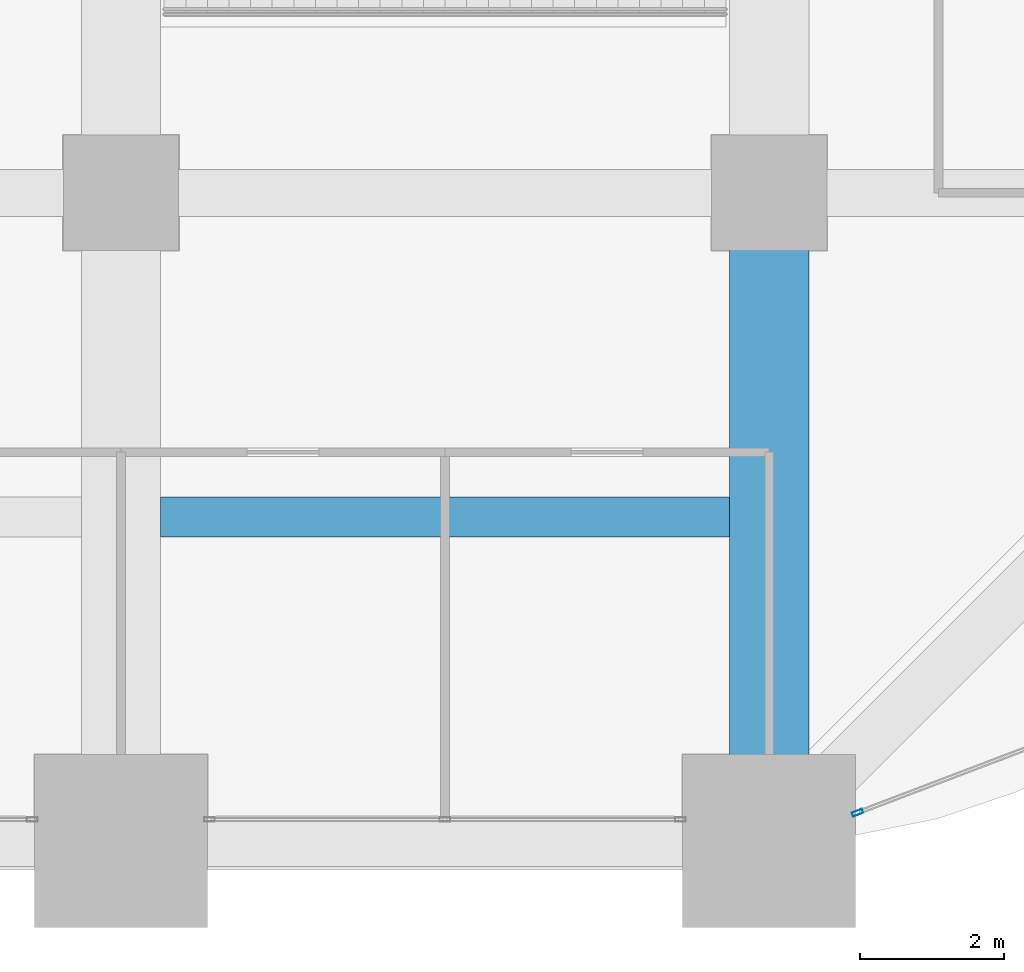
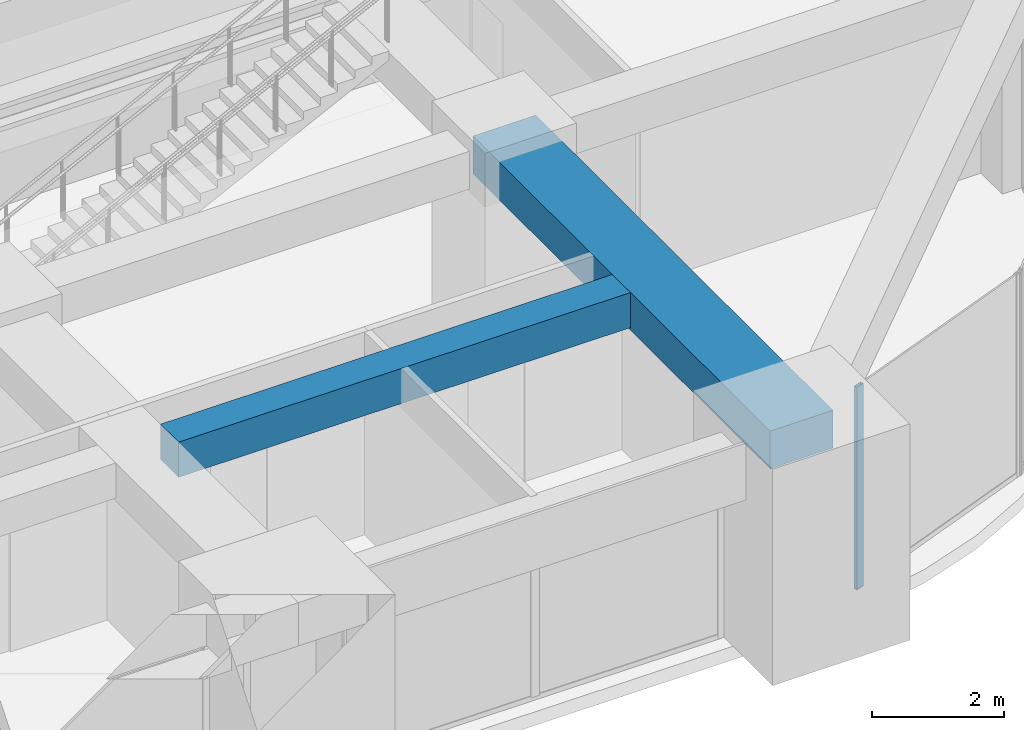
# One storey, part 14 of 34: 2 beams, 1 member, 1 element without a shape of its own.
"""IFC4 building model written with IfcOpenShell, lengths in metres."""

from ifc_helpers import new_model, si_unit, direction, frame, origin, origin_2d, place, context, subcontext, project, spatial, rectangle, hollow_rectangle, extrude, material, material_profile, profile_set, type_object, element, aggregate, save


model = new_model("IFC4")

# Units and contexts
model_context = context("Model", 3, precision=1e-05, world=origin(), true_north=direction((0.0, 1.0)))
body_context = subcontext(model_context, "Body", "Model", "MODEL_VIEW")
ifc_project = project(units=[si_unit("LENGTHUNIT", "METRE"), si_unit("AREAUNIT", "SQUARE_METRE"), si_unit("VOLUMEUNIT", "CUBIC_METRE"), si_unit("PLANEANGLEUNIT", "RADIAN"), si_unit("MASSUNIT", "GRAM", prefix="KILO")], contexts=[model_context])

# Site, building, storey
site_placement = place(None, origin())
site = spatial("IfcSite", under=ifc_project, at=site_placement, CompositionType="ELEMENT")
building_placement = place(site_placement, origin())
building = spatial("IfcBuilding", under=site, at=building_placement, Name="Zorevar Civic Tower", CompositionType="ELEMENT")
storey_placement = place(building_placement, frame((0.0, 0.0, 174.199951171875)))
storey = spatial("IfcBuildingStorey", under=building, at=storey_placement, Name="L42", CompositionType="ELEMENT", Elevation=174.199951171875)

# Beams
ifc_material_1 = material(Name="Concrete C50/60", Category="concrete")
ifc_material_profile_1 = material_profile(ifc_material_1, rectangle(XDim=1.10009765625, YDim=0.699951171875, at=origin_2d()), Name="RC 1100x700")
ifc_profile_set_1 = profile_set([ifc_material_profile_1], Name="Concrete C50/60")
beam_type_1 = type_object("IfcBeamType", Name="Beam RC 1100x700", PredefinedType="BEAM", material=ifc_profile_set_1)
beam_1_placement = place(storey_placement, frame((45.0, 0.0, 3.400146484375), z_axis=(0.0, 1.0, 0.0), x_axis=(-1.0, 0.0, 0.0)))
element("IfcBeam", 1, at=beam_1_placement, inside=storey, type_object=beam_type_1, Name="Girder L43", PredefinedType="BEAM", context=body_context, shape_type="SweptSolid", body=[
    extrude(rectangle(XDim=1.10009765625, YDim=0.699951171875, at=origin_2d()), origin(), (0.0, 0.0, 1.0), 9.0),
])
ifc_material_2 = material(Name="Concrete C50/60", Category="concrete")
ifc_material_profile_2 = material_profile(ifc_material_2, rectangle(XDim=0.550048828125, YDim=0.64990234375, at=origin_2d()), Name="RC 550x650")
ifc_profile_set_2 = profile_set([ifc_material_profile_2], Name="Concrete C50/60")
beam_type_2 = type_object("IfcBeamType", Name="Beam RC 550x650", PredefinedType="BEAM", material=ifc_profile_set_2)
beam_2_placement = place(storey_placement, frame((36.550048828125, 4.5, 3.425048828125), z_axis=(1.0, 0.0, 0.0), x_axis=(0.0, 1.0, 0.0)))
element("IfcBeam", 2, at=beam_2_placement, inside=storey, type_object=beam_type_2, Name="Secondary beam L43", PredefinedType="BEAM", context=body_context, shape_type="SweptSolid", body=[
    extrude(rectangle(XDim=0.550048828125, YDim=0.64990234375, at=origin_2d()), origin(), (0.0, 0.0, 1.0), 7.89990234375),
])

# Curtain wall, member
ifc_material_3 = material(Name="Dark grey solar-control glass in black aluminium frame", Category="aluminium")
curtain_wall_type = type_object("IfcCurtainWallType", Name="Curtain wall CW4 high zone", PredefinedType="NOTDEFINED", material=ifc_material_3)
curtain_wall_placement = place(storey_placement, origin())
curtain_wall = element("IfcCurtainWall", 3, at=curtain_wall_placement, inside=storey, type_object=curtain_wall_type, Name="CW4 L42", PredefinedType="NOTDEFINED")
ifc_material_4 = material(Name="Aluminium, black anodised", Category="aluminium")
ifc_material_profile_3 = material_profile(ifc_material_4, hollow_rectangle(XDim=0.06005859375, YDim=0.14990234375, WallThickness=0.00390625, at=origin_2d()), Name="AL 150x60x4")
ifc_profile_set_3 = profile_set([ifc_material_profile_3], Name="Aluminium, black anodised")
member_type = type_object("IfcMemberType", Name="CW4 mullion AL 150x60x4", PredefinedType="MULLION", material=ifc_profile_set_3)
member_placement = place(storey_placement, frame((46.22802734375, 0.393798828125, 0.0), z_axis=(0.0, 0.0, 1.0), x_axis=(-0.355730895803, 0.93458842801, 0.0)))
member = element("IfcMember", 4, at=member_placement, type_object=member_type, Name="CW4 mullion 1", PredefinedType="MULLION", context=body_context, shape_type="SweptSolid", body=[
    extrude(hollow_rectangle(XDim=0.06005859375, YDim=0.14990234375, WallThickness=0.00390625, at=origin_2d()), origin(), (0.0, 0.0, 1.0), 3.75),
])
aggregate(curtain_wall, [member])

save(model, "model.ifc")
